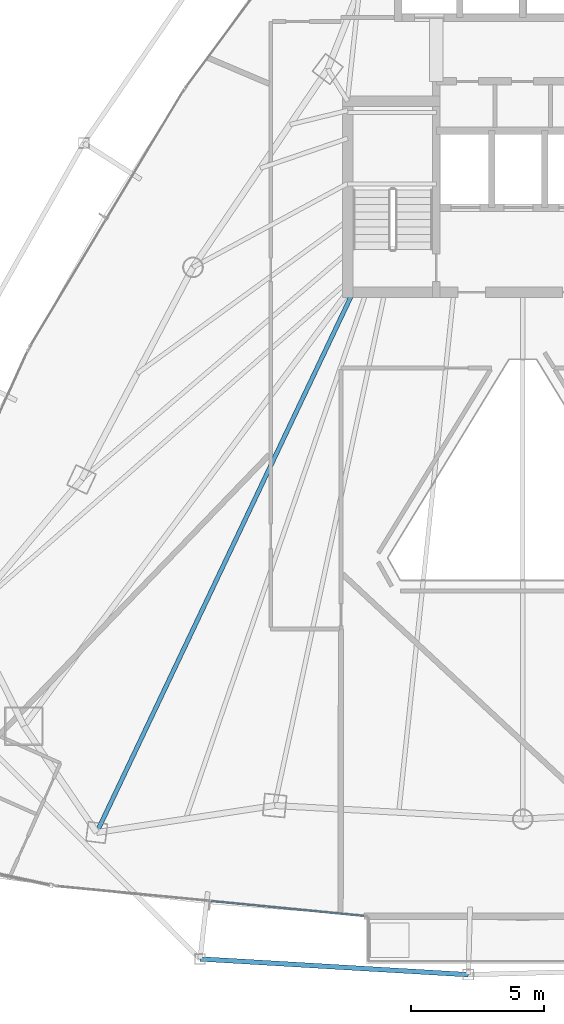
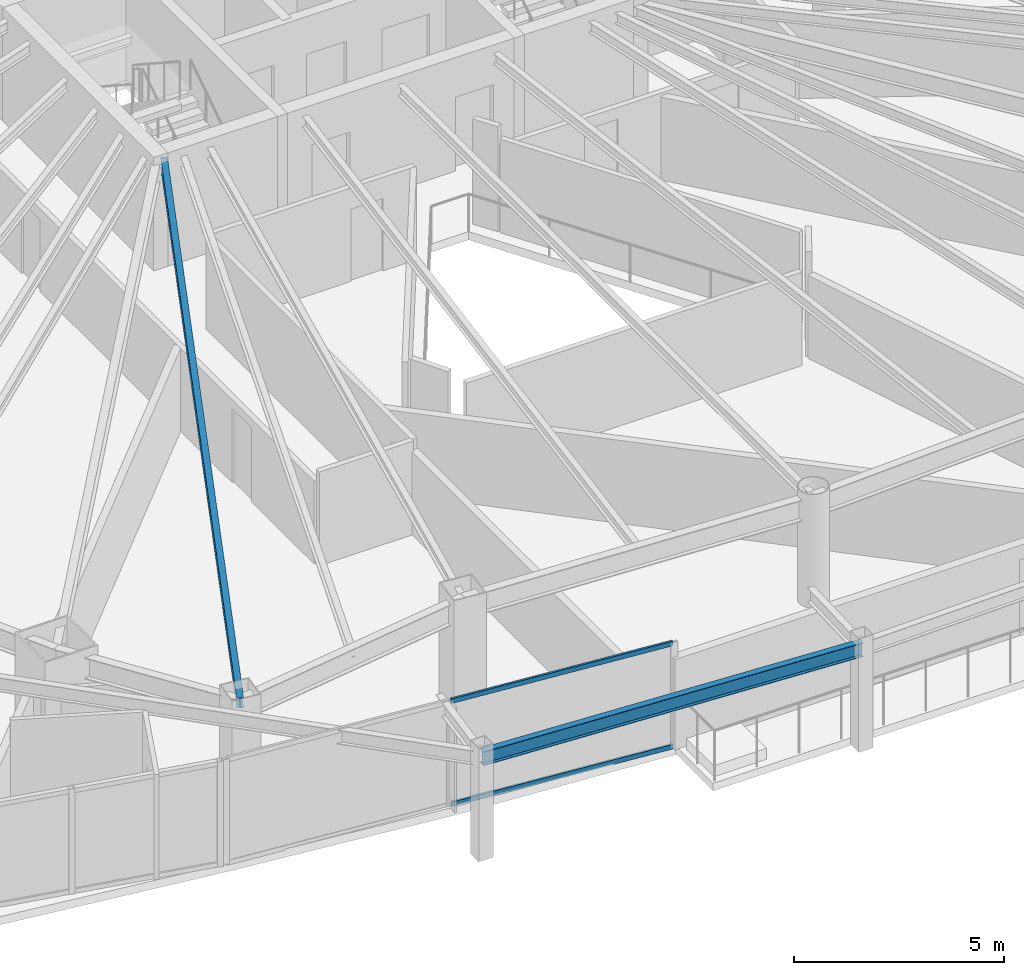
# One storey, part 5 of 31: 2 beams, 2 members, 1 element without a shape of its own.
"""IFC4 building model written with IfcOpenShell, lengths in metres."""

from ifc_helpers import new_model, si_unit, direction, frame, origin, origin_2d, place, context, subcontext, project, spatial, hollow_rectangle, i_section, extrude, material, layer, layer_set, material_profile, profile_set, type_object, element, aggregate, save


model = new_model("IFC4")

# Units and contexts
model_context = context("Model", 3, precision=1e-05, world=origin(), true_north=direction((0.0, 1.0)))
body_context = subcontext(model_context, "Body", "Model", "MODEL_VIEW")
ifc_project = project(units=[si_unit("LENGTHUNIT", "METRE"), si_unit("AREAUNIT", "SQUARE_METRE"), si_unit("VOLUMEUNIT", "CUBIC_METRE"), si_unit("PLANEANGLEUNIT", "RADIAN"), si_unit("MASSUNIT", "GRAM", prefix="KILO")], contexts=[model_context])

# Site, building, storey
site_placement = place(None, origin())
site = spatial("IfcSite", under=ifc_project, at=site_placement, CompositionType="ELEMENT")
building_placement = place(site_placement, origin())
building = spatial("IfcBuilding", under=site, at=building_placement, Name="Orvanel Arch Residences", CompositionType="ELEMENT")
storey_placement = place(building_placement, frame((0.0, 0.0, 126.5)))
storey = spatial("IfcBuildingStorey", under=building, at=storey_placement, Name="L35", CompositionType="ELEMENT", Elevation=126.5)

# Beams
ifc_material_1 = material(Name="Structural steel AS/NZS 3679.1 Grade 300 (300 MPa)", Category="steel")
ifc_material_profile_1 = material_profile(ifc_material_1, i_section(OverallWidth=0.1650390625, OverallDepth=0.303955078125, WebThickness=0.006103515625, FlangeThickness=0.01025390625, at=origin_2d()), Name="310UB40.4")
ifc_profile_set_1 = profile_set([ifc_material_profile_1], Name="Structural steel AS/NZS 3679.1 Grade 300 (300 MPa)")
beam_type_1 = type_object("IfcBeamType", Name="BJ-310UB", PredefinedType="JOIST", material=ifc_profile_set_1)
beam_1_placement = place(storey_placement, frame((26.60009765625, 26.699951171875, 2.907958984375), z_axis=(-0.428614365266, -0.903487534993, 0.0), x_axis=(0.903487534993, -0.428614365266, 0.0)))
element("IfcBeam", 1, at=beam_1_placement, inside=storey, type_object=beam_type_1, Name="L35 MSW Wing Floor Joist", PredefinedType="JOIST", context=body_context, shape_type="SweptSolid", body=[
    extrude(i_section(OverallWidth=0.1650390625, OverallDepth=0.303955078125, WebThickness=0.006103515625, FlangeThickness=0.01025390625, at=origin_2d()), origin(), (0.0, 0.0, 1.0), 22.535888671875),
])
ifc_material_profile_2 = material_profile(ifc_material_1, i_section(OverallWidth=0.177978515625, OverallDepth=0.406005859375, WebThickness=0.0078125, FlangeThickness=0.0126953125, at=origin_2d()), Name="410UB59.7")
ifc_profile_set_2 = profile_set([ifc_material_profile_2], Name="Structural steel AS/NZS 3679.1 Grade 300 (300 MPa)")
beam_type_2 = type_object("IfcBeamType", Name="OB-410UB-EXT", PredefinedType="SPANDREL", material=ifc_profile_set_2)
beam_2_placement = place(storey_placement, frame((20.8359375, 1.572021484375, 2.85693359375), z_axis=(0.998284168197, -0.058555269, 0.0), x_axis=(0.058555269, 0.998284168197, 0.0)))
element("IfcBeam", 2, at=beam_2_placement, inside=storey, type_object=beam_type_2, Name="L35 Outer Perimeter Floor Ring Beam 05", PredefinedType="SPANDREL", context=body_context, shape_type="SweptSolid", body=[
    extrude(i_section(OverallWidth=0.177978515625, OverallDepth=0.406005859375, WebThickness=0.0078125, FlangeThickness=0.0126953125, at=origin_2d()), origin(), (0.0, 0.0, 1.0), 10.12744140625),
])

# Curtain wall, members
ifc_material_2 = material(Name="Bronze-anodised aluminium AA6063-T6", Category="aluminium")
ifc_layer = layer(ifc_material_2, 0.179931640625)
ifc_layer_set = layer_set([ifc_layer], Name="Bronze-anodised aluminium AA6063-T6")
curtain_wall_type = type_object("IfcCurtainWallType", Name="CW3-MID-SYS", PredefinedType="NOTDEFINED", material=ifc_layer_set)
curtain_wall_placement = place(storey_placement, origin())
curtain_wall = element("IfcCurtainWall", 3, at=curtain_wall_placement, inside=storey, type_object=curtain_wall_type, Name="L35 CW3-MID-SYS Unitised Curtain Wall", PredefinedType="NOTDEFINED")
ifc_material_profile_3 = material_profile(ifc_material_2, hollow_rectangle(XDim=0.06005859375, YDim=0.135009765625, WallThickness=0.00390625, at=origin_2d()), Name="ALU135x60x4")
ifc_profile_set_3 = profile_set([ifc_material_profile_3], Name="Bronze-anodised aluminium AA6063-T6")
member_type = type_object("IfcMemberType", Name="TRN-135x60", PredefinedType="USERDEFINED", material=ifc_profile_set_3)
member_1_placement = place(storey_placement, frame((21.245361328125, 3.752685546875, 0.030029296875), z_axis=(0.995342586227, -0.096400913086, 0.0), x_axis=(0.096400913086, 0.995342586227, 0.0)))
member_1 = element("IfcMember", 4, at=member_1_placement, type_object=member_type, Name="CW-S3 transom 2.1", ObjectType="TRANSOM", PredefinedType="USERDEFINED", context=body_context, shape_type="SweptSolid", body=[
    extrude(hollow_rectangle(XDim=0.06005859375, YDim=0.135009765625, WallThickness=0.00390625, at=origin_2d()), origin(), (0.0, 0.0, 1.0), 5.797119140625),
])
member_2_placement = place(storey_placement, frame((21.245361328125, 3.752685546875, 3.030029296875), z_axis=(0.995342586227, -0.096400913086, 0.0), x_axis=(0.096400913086, 0.995342586227, 0.0)))
member_2 = element("IfcMember", 5, at=member_2_placement, type_object=member_type, Name="CW-S3 transom 2.2", ObjectType="TRANSOM", PredefinedType="USERDEFINED", context=body_context, shape_type="SweptSolid", body=[
    extrude(hollow_rectangle(XDim=0.06005859375, YDim=0.135009765625, WallThickness=0.00390625, at=origin_2d()), origin(), (0.0, 0.0, 1.0), 5.797119140625),
])
aggregate(curtain_wall, [member_1, member_2])

save(model, "model.ifc")
